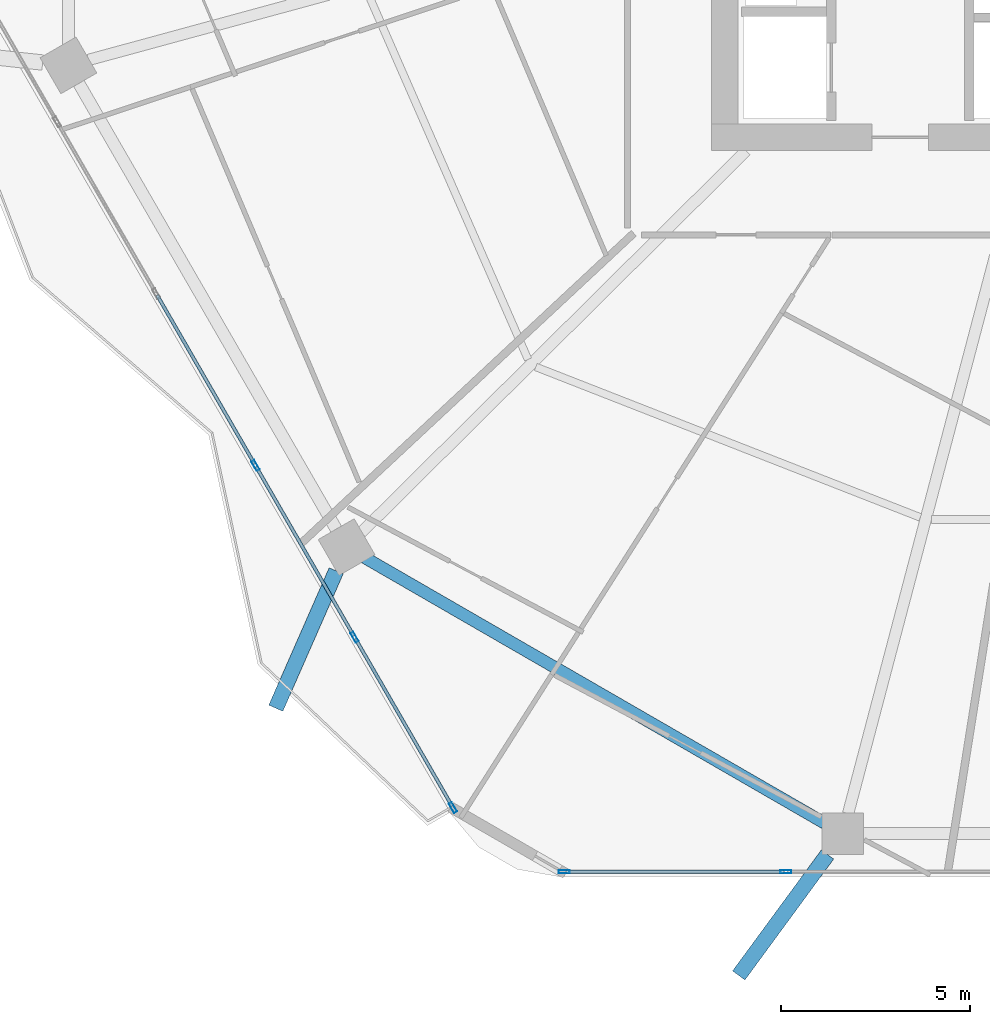
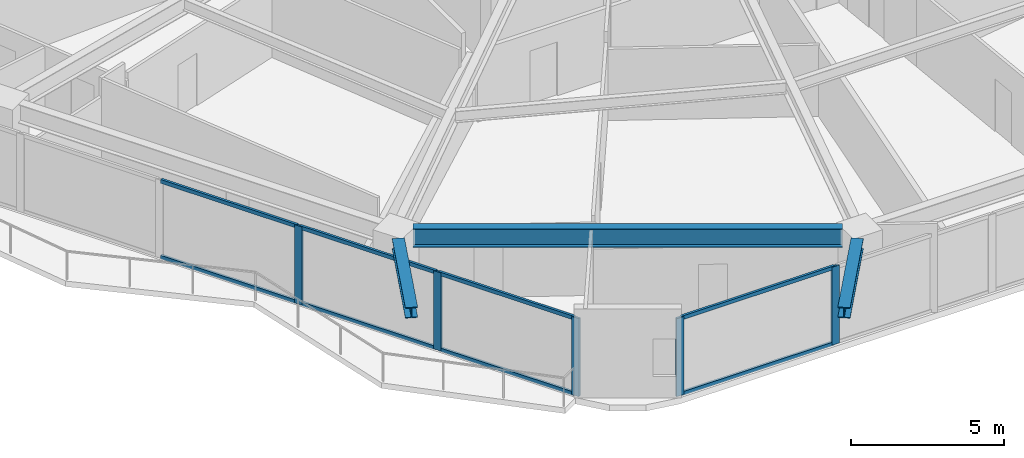
# One storey, part 2 of 29: 13 members, 3 beams, 2 elements without a shape of their own.
"""IFC4 building model written with IfcOpenShell, lengths in metres."""

from ifc_helpers import new_model, si_unit, direction, frame, origin, origin_2d, place, context, subcontext, project, spatial, hollow_rectangle, i_section, extrude, material, material_profile, profile_set, type_object, element, aggregate, save


model = new_model("IFC4")

# Units and contexts
model_context = context("Model", 3, precision=1e-05, world=origin(), true_north=direction((0.0, 1.0)))
body_context = subcontext(model_context, "Body", "Model", "MODEL_VIEW")
ifc_project = project(units=[si_unit("LENGTHUNIT", "METRE"), si_unit("AREAUNIT", "SQUARE_METRE"), si_unit("VOLUMEUNIT", "CUBIC_METRE"), si_unit("PLANEANGLEUNIT", "RADIAN"), si_unit("MASSUNIT", "GRAM", prefix="KILO")], contexts=[model_context])

# Site, building, storey
site_placement = place(None, origin())
site = spatial("IfcSite", under=ifc_project, at=site_placement, CompositionType="ELEMENT")
building_placement = place(site_placement, origin())
building = spatial("IfcBuilding", under=site, at=building_placement, Name="Zuhravey Tower", CompositionType="ELEMENT")
storey_placement = place(building_placement, frame((0.0, 0.0, 134.199951171875)))
storey = spatial("IfcBuildingStorey", under=building, at=storey_placement, Name="L33", CompositionType="ELEMENT", Elevation=134.199951171875)

# Curtain wall, members
ifc_material_1 = material(Name="Thermally broken anodised aluminium", Category="aluminium")
curtain_wall_type = type_object("IfcCurtainWallType", Name="Zone 1-2 Residential Curtain Wall CW3", PredefinedType="NOTDEFINED", material=ifc_material_1)
curtain_wall_1_placement = place(storey_placement, origin())
curtain_wall_1 = element("IfcCurtainWall", 1, at=curtain_wall_1_placement, inside=storey, type_object=curtain_wall_type, Name="L33 CW3 CW-L33-F5-1", PredefinedType="NOTDEFINED")
ifc_material_2 = material(Name="Anodised aluminium", Category="aluminium")
ifc_material_profile_1 = material_profile(ifc_material_2, hollow_rectangle(XDim=0.090087890625, YDim=0.284912109375, WallThickness=0.0048828125, at=origin_2d()), Name="ALU-RHS-90x285x5")
ifc_profile_set_1 = profile_set([ifc_material_profile_1], Name="Anodised aluminium")
member_type_1 = type_object("IfcMemberType", Name="Curtain-Wall Mullion 90x180", PredefinedType="MULLION", material=ifc_profile_set_1)
member_1_placement = place(storey_placement, frame((27.120361328125, 3.04150390625, 0.0), z_axis=(0.0, 0.0, 1.0), x_axis=(0.0, -1.0, 0.0)))
member_1 = element("IfcMember", 2, at=member_1_placement, type_object=member_type_1, Name="CW3 mullion 5", PredefinedType="MULLION", context=body_context, shape_type="SweptSolid", body=[
    extrude(hollow_rectangle(XDim=0.090087890625, YDim=0.284912109375, WallThickness=0.0048828125, at=origin_2d()), origin(), (0.0, 0.0, 1.0), 3.1220703125),
])
member_2_placement = place(storey_placement, frame((21.24560546875, 3.04150390625, 0.0), z_axis=(0.0, 0.0, 1.0), x_axis=(0.0, -1.0, 0.0)))
member_2 = element("IfcMember", 3, at=member_2_placement, type_object=member_type_1, Name="CW3 mullion 6", PredefinedType="MULLION", context=body_context, shape_type="SweptSolid", body=[
    extrude(hollow_rectangle(XDim=0.090087890625, YDim=0.284912109375, WallThickness=0.0048828125, at=origin_2d()), origin(), (0.0, 0.0, 1.0), 3.1220703125),
])

curtain_wall_2_placement = place(storey_placement, origin())
curtain_wall_2 = element("IfcCurtainWall", 4, at=curtain_wall_2_placement, inside=storey, type_object=curtain_wall_type, Name="L33 CW3 CW-L33-F4-1", PredefinedType="NOTDEFINED")
member_3_placement = place(storey_placement, frame((18.298583984375, 4.742919921875, 0.0), z_axis=(0.0, 0.0, 1.0), x_axis=(-0.866026411928, -0.499998253839, 0.0)))
member_3 = element("IfcMember", 5, at=member_3_placement, type_object=member_type_1, Name="CW3 mullion 1", PredefinedType="MULLION", context=body_context, shape_type="SweptSolid", body=[
    extrude(hollow_rectangle(XDim=0.090087890625, YDim=0.284912109375, WallThickness=0.0048828125, at=origin_2d()), origin(), (0.0, 0.0, 1.0), 3.1220703125),
])
member_4_placement = place(storey_placement, frame((15.69287109375, 9.255859375, 0.0), z_axis=(0.0, 0.0, 1.0), x_axis=(-0.866026411928, -0.499998253839, 0.0)))
member_4 = element("IfcMember", 6, at=member_4_placement, type_object=member_type_1, Name="CW3 mullion 2", PredefinedType="MULLION", context=body_context, shape_type="SweptSolid", body=[
    extrude(hollow_rectangle(XDim=0.090087890625, YDim=0.284912109375, WallThickness=0.0048828125, at=origin_2d()), origin(), (0.0, 0.0, 1.0), 3.1220703125),
])
member_5_placement = place(storey_placement, frame((13.06494140625, 13.807861328125, 0.0), z_axis=(0.0, 0.0, 1.0), x_axis=(-0.866026411928, -0.499998253839, 0.0)))
member_5 = element("IfcMember", 7, at=member_5_placement, type_object=member_type_1, Name="CW3 mullion 3", PredefinedType="MULLION", context=body_context, shape_type="SweptSolid", body=[
    extrude(hollow_rectangle(XDim=0.090087890625, YDim=0.284912109375, WallThickness=0.0048828125, at=origin_2d()), origin(), (0.0, 0.0, 1.0), 3.1220703125),
])

# Member
ifc_material_profile_2 = material_profile(ifc_material_2, hollow_rectangle(XDim=0.090087890625, YDim=0.14990234375, WallThickness=0.0048828125, at=origin_2d()), Name="ALU-RHS-90x150x5")
ifc_profile_set_2 = profile_set([ifc_material_profile_2], Name="Anodised aluminium")
member_type_2 = type_object("IfcMemberType", Name="Curtain-Wall Transom 90x150", PredefinedType="USERDEFINED", material=ifc_profile_set_2)
member_6_placement = place(storey_placement, frame((27.0751953125, 3.04150390625, 0.045166015625), z_axis=(-1.0, 0.0, 0.0), x_axis=(0.0, -1.0, 0.0)))
member_6 = element("IfcMember", 8, at=member_6_placement, type_object=member_type_2, Name="CW3 transom 5.1", ObjectType="TRANSOM", PredefinedType="USERDEFINED", context=body_context, shape_type="SweptSolid", body=[
    extrude(hollow_rectangle(XDim=0.090087890625, YDim=0.14990234375, WallThickness=0.0048828125, at=origin_2d()), origin(), (0.0, 0.0, 1.0), 5.78466796875),
])

member_7_placement = place(storey_placement, frame((27.0751953125, 3.04150390625, 3.0771484375), z_axis=(-1.0, 0.0, 0.0), x_axis=(0.0, -1.0, 0.0)))
member_7 = element("IfcMember", 9, at=member_7_placement, type_object=member_type_2, Name="CW3 transom 5.2", ObjectType="TRANSOM", PredefinedType="USERDEFINED", context=body_context, shape_type="SweptSolid", body=[
    extrude(hollow_rectangle(XDim=0.090087890625, YDim=0.14990234375, WallThickness=0.0048828125, at=origin_2d()), origin(), (0.0, 0.0, 1.0), 5.78466796875),
])

aggregate(curtain_wall_1, [member_1, member_2, member_6, member_7])

member_8_placement = place(storey_placement, frame((18.27587890625, 4.781982421875, 0.045166015625), z_axis=(-0.499959059599, 0.866049039446, 0.0), x_axis=(-0.866049039446, -0.499959059599, 0.0)))
member_8 = element("IfcMember", 10, at=member_8_placement, type_object=member_type_2, Name="CW3 transom 1.1", ObjectType="TRANSOM", PredefinedType="USERDEFINED", context=body_context, shape_type="SweptSolid", body=[
    extrude(hollow_rectangle(XDim=0.090087890625, YDim=0.14990234375, WallThickness=0.0048828125, at=origin_2d()), origin(), (0.0, 0.0, 1.0), 5.12109375),
])

member_9_placement = place(storey_placement, frame((18.27587890625, 4.781982421875, 3.0771484375), z_axis=(-0.499959059599, 0.866049039446, 0.0), x_axis=(-0.866049039446, -0.499959059599, 0.0)))
member_9 = element("IfcMember", 11, at=member_9_placement, type_object=member_type_2, Name="CW3 transom 1.2", ObjectType="TRANSOM", PredefinedType="USERDEFINED", context=body_context, shape_type="SweptSolid", body=[
    extrude(hollow_rectangle(XDim=0.090087890625, YDim=0.14990234375, WallThickness=0.0048828125, at=origin_2d()), origin(), (0.0, 0.0, 1.0), 5.12109375),
])

member_10_placement = place(storey_placement, frame((15.67041015625, 9.294921875, 0.045166015625), z_axis=(-0.500001996123, 0.866024251319, 0.0), x_axis=(-0.866024251319, -0.500001996123, 0.0)))
member_10 = element("IfcMember", 12, at=member_10_placement, type_object=member_type_2, Name="CW3 transom 2.1", ObjectType="TRANSOM", PredefinedType="USERDEFINED", context=body_context, shape_type="SweptSolid", body=[
    extrude(hollow_rectangle(XDim=0.090087890625, YDim=0.14990234375, WallThickness=0.0048828125, at=origin_2d()), origin(), (0.0, 0.0, 1.0), 5.166015625),
])

member_11_placement = place(storey_placement, frame((15.67041015625, 9.294921875, 3.0771484375), z_axis=(-0.500001996123, 0.866024251319, 0.0), x_axis=(-0.866024251319, -0.500001996123, 0.0)))
member_11 = element("IfcMember", 13, at=member_11_placement, type_object=member_type_2, Name="CW3 transom 2.2", ObjectType="TRANSOM", PredefinedType="USERDEFINED", context=body_context, shape_type="SweptSolid", body=[
    extrude(hollow_rectangle(XDim=0.090087890625, YDim=0.14990234375, WallThickness=0.0048828125, at=origin_2d()), origin(), (0.0, 0.0, 1.0), 5.166015625),
])

member_12_placement = place(storey_placement, frame((13.04248046875, 13.846923828125, 0.045166015625), z_axis=(-0.500001996123, 0.866024251319, 0.0), x_axis=(-0.866024251319, -0.500001996123, 0.0)))
member_12 = element("IfcMember", 14, at=member_12_placement, type_object=member_type_2, Name="CW3 transom 3.1", ObjectType="TRANSOM", PredefinedType="USERDEFINED", context=body_context, shape_type="SweptSolid", body=[
    extrude(hollow_rectangle(XDim=0.090087890625, YDim=0.14990234375, WallThickness=0.0048828125, at=origin_2d()), origin(), (0.0, 0.0, 1.0), 5.166015625),
])

member_13_placement = place(storey_placement, frame((13.04248046875, 13.846923828125, 3.0771484375), z_axis=(-0.500001996123, 0.866024251319, 0.0), x_axis=(-0.866024251319, -0.500001996123, 0.0)))
member_13 = element("IfcMember", 15, at=member_13_placement, type_object=member_type_2, Name="CW3 transom 3.2", ObjectType="TRANSOM", PredefinedType="USERDEFINED", context=body_context, shape_type="SweptSolid", body=[
    extrude(hollow_rectangle(XDim=0.090087890625, YDim=0.14990234375, WallThickness=0.0048828125, at=origin_2d()), origin(), (0.0, 0.0, 1.0), 5.166015625),
])

aggregate(curtain_wall_2, [member_3, member_4, member_5, member_8, member_9, member_10, member_11, member_12, member_13])

# Beams
ifc_material_3 = material(Name="Steel SM460", Category="steel")
ifc_material_profile_3 = material_profile(ifc_material_3, i_section(OverallWidth=0.406982421875, OverallDepth=0.427978515625, WebThickness=0.02001953125, FlangeThickness=0.034912109375, at=origin_2d()), Name="H-428x407x20x35")
ifc_profile_set_3 = profile_set([ifc_material_profile_3], Name="Steel SM460")
beam_type_1 = type_object("IfcBeamType", Name="Exoskeleton Node Tie Beam H428x407", PredefinedType="BEAM", material=ifc_profile_set_3)
beam_1_placement = place(storey_placement, frame((15.204833984375, 11.014892578125, 3.3359375), z_axis=(-0.402345456296, -0.915487921164, 0.0), x_axis=(0.915487921164, -0.402345456296, 0.0)))
element("IfcBeam", 16, at=beam_1_placement, inside=storey, type_object=beam_type_1, Name="L33 Exoskeleton Node Tie NT1-08", PredefinedType="BEAM", context=body_context, shape_type="SweptSolid", body=[
    extrude(i_section(OverallWidth=0.406982421875, OverallDepth=0.427978515625, WebThickness=0.02001953125, FlangeThickness=0.034912109375, at=origin_2d()), origin(), (0.0, 0.0, 1.0), 3.97509765625),
])
beam_2_placement = place(storey_placement, frame((28.223876953125, 3.498291015625, 3.3359375), z_axis=(-0.591653859, -0.806192105599, 0.0), x_axis=(0.806192105599, -0.591653859, 0.0)))
element("IfcBeam", 17, at=beam_2_placement, inside=storey, type_object=beam_type_1, Name="L33 Exoskeleton Node Tie NT1-09", PredefinedType="BEAM", context=body_context, shape_type="SweptSolid", body=[
    extrude(i_section(OverallWidth=0.406982421875, OverallDepth=0.427978515625, WebThickness=0.02001953125, FlangeThickness=0.034912109375, at=origin_2d()), origin(), (0.0, 0.0, 1.0), 3.974853515625),
])
ifc_material_4 = material(Name="Steel SM355", Category="steel")
ifc_material_profile_4 = material_profile(ifc_material_4, i_section(OverallWidth=0.320068359375, OverallDepth=0.75, WebThickness=0.013916015625, FlangeThickness=0.02490234375, at=origin_2d()), Name="H-750x320x14x25")
ifc_profile_set_4 = profile_set([ifc_material_profile_4], Name="Steel SM355")
beam_type_2 = type_object("IfcBeamType", Name="Perimeter Ring Beam H750x320", PredefinedType="BEAM", material=ifc_profile_set_4)
beam_3_placement = place(storey_placement, frame((15.9599609375, 11.36669921875, 3.175048828125), z_axis=(0.866017786538, -0.500013193225, 0.0), x_axis=(0.500013193225, 0.866017786538, 0.0)))
element("IfcBeam", 18, at=beam_3_placement, inside=storey, type_object=beam_type_2, Name="L33 PB1 BM-L33-PB-08", PredefinedType="BEAM", context=body_context, shape_type="SweptSolid", body=[
    extrude(i_section(OverallWidth=0.320068359375, OverallDepth=0.75, WebThickness=0.013916015625, FlangeThickness=0.02490234375, at=origin_2d()), origin(), (0.0, 0.0, 1.0), 14.0771484375),
])

save(model, "model.ifc")
